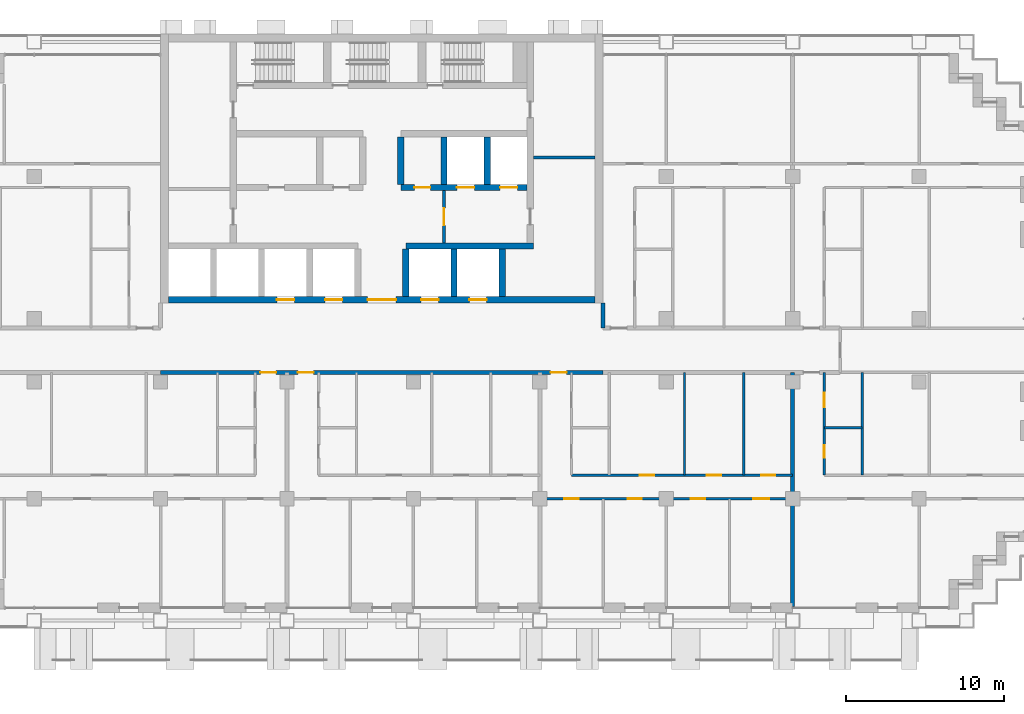
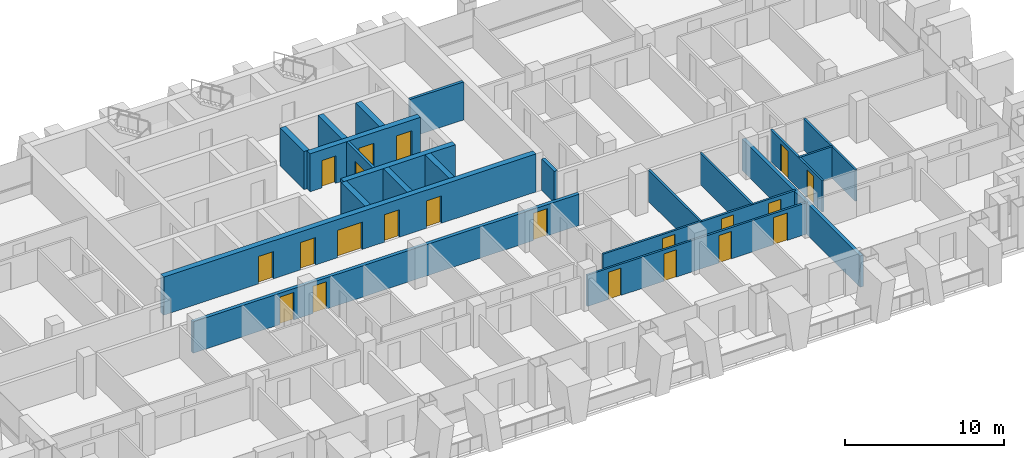
# One storey, part 10 of 17: 21 doors, 21 walls, 21 openings.
"""IFC4 building model written with IfcOpenShell, lengths in metres."""

from ifc_helpers import new_model, si_unit, direction, frame, frame_2d, origin, place, context, subcontext, project, spatial, rectangle, extrude, material, layer, layer_set, type_object, element, fill, save


model = new_model("IFC4")

# Units and contexts
model_context = context("Model", 3, precision=1e-05, world=origin(), true_north=direction((0.0, 1.0)))
body_context = subcontext(model_context, "Body", "Model", "MODEL_VIEW")
ifc_project = project(units=[si_unit("LENGTHUNIT", "METRE"), si_unit("AREAUNIT", "SQUARE_METRE"), si_unit("VOLUMEUNIT", "CUBIC_METRE"), si_unit("PLANEANGLEUNIT", "RADIAN"), si_unit("MASSUNIT", "GRAM", prefix="KILO")], contexts=[model_context])

# Site, building, storey
site_placement = place(None, origin())
site = spatial("IfcSite", under=ifc_project, at=site_placement, CompositionType="ELEMENT")
building_placement = place(site_placement, origin())
building = spatial("IfcBuilding", under=site, at=building_placement, Name="Vidyagriha Tower", CompositionType="ELEMENT")
storey_placement = place(building_placement, frame((0.0, 0.0, 77.5)))
storey = spatial("IfcBuildingStorey", under=building, at=storey_placement, Name="L19", CompositionType="ELEMENT", Elevation=77.5)

# Wall, openings, doors
ifc_material_1 = material(Name="Concrete C60/75", Category="concrete")
ifc_layer_1 = layer(ifc_material_1, 0.39990234375)
ifc_layer_set_1 = layer_set([ifc_layer_1], Name="Concrete C60/75")
wall_type_1 = type_object("IfcWallType", Name="Core shear wall 400 mm", PredefinedType="SHEAR", material=ifc_layer_set_1)
wall_1_placement = place(storey_placement, frame((-13.5, 3.199951171875, 0.0)))
wall_1 = element("IfcWall", 1, at=wall_1_placement, inside=storey, type_object=wall_type_1, Name="Core front wall", PredefinedType="SHEAR", context=body_context, shape_type="SweptSolid", body=[
    extrude(rectangle(XDim=27.0, YDim=0.39990234375, at=frame_2d((13.5, 0.0))), origin(), (0.0, 0.0, 1.0), 2.919921875),
])
opening_1_placement = place(wall_1_placement, frame((6.861083984375, 0.0, 0.0)))
opening_1 = element("IfcOpeningElement", 2, at=opening_1_placement, cuts=wall_1, Name="Opening LD19-01", PredefinedType="OPENING", context=body_context, shape_type="SweptSolid", body=[
    extrude(rectangle(XDim=1.10009765625, YDim=2.10009765625, at=frame_2d((0.550048828125, 1.050048828125))), frame((0.0, 0.2099609375, 0.0), z_axis=(0.0, -1.0, 0.0), x_axis=(1.0, 0.0, 0.0)), (0.0, 0.0, 1.0), 0.419921875),
])
opening_2_placement = place(wall_1_placement, frame((9.905517578125, 0.0, 0.0)))
opening_2 = element("IfcOpeningElement", 3, at=opening_2_placement, cuts=wall_1, Name="Opening LD19-02", PredefinedType="OPENING", context=body_context, shape_type="SweptSolid", body=[
    extrude(rectangle(XDim=1.10009765625, YDim=2.10009765625, at=frame_2d((0.550048828125, 1.050048828125))), frame((0.0, 0.2099609375, 0.0), z_axis=(0.0, -1.0, 0.0), x_axis=(1.0, 0.0, 0.0)), (0.0, 0.0, 1.0), 0.419921875),
])
opening_3_placement = place(wall_1_placement, frame((15.994384765625, 0.0, 0.0)))
opening_3 = element("IfcOpeningElement", 4, at=opening_3_placement, cuts=wall_1, Name="Opening LD19-03", PredefinedType="OPENING", context=body_context, shape_type="SweptSolid", body=[
    extrude(rectangle(XDim=1.10009765625, YDim=2.10009765625, at=frame_2d((0.550048828125, 1.050048828125))), frame((0.0, 0.2099609375, 0.0), z_axis=(0.0, -1.0, 0.0), x_axis=(1.0, 0.0, 0.0)), (0.0, 0.0, 1.0), 0.419921875),
])
opening_4_placement = place(wall_1_placement, frame((19.038818359375, 0.0, 0.0)))
opening_4 = element("IfcOpeningElement", 5, at=opening_4_placement, cuts=wall_1, Name="Opening LD19-04", PredefinedType="OPENING", context=body_context, shape_type="SweptSolid", body=[
    extrude(rectangle(XDim=1.10009765625, YDim=2.10009765625, at=frame_2d((0.550048828125, 1.050048828125))), frame((0.0, 0.2099609375, 0.0), z_axis=(0.0, -1.0, 0.0), x_axis=(1.0, 0.0, 0.0)), (0.0, 0.0, 1.0), 0.419921875),
])
opening_5_placement = place(wall_1_placement, frame((12.60009765625, 0.0, 0.0)))
opening_5 = element("IfcOpeningElement", 6, at=opening_5_placement, cuts=wall_1, Name="Opening D19-01", PredefinedType="OPENING", context=body_context, shape_type="SweptSolid", body=[
    extrude(rectangle(XDim=1.800048828125, YDim=2.10009765625, at=frame_2d((0.89990234375, 1.050048828125))), frame((0.0, 0.2099609375, 0.0), z_axis=(0.0, -1.0, 0.0), x_axis=(1.0, 0.0, 0.0)), (0.0, 0.0, 1.0), 0.419921875),
])
ifc_material_2 = material(Name="Hollow metal door leaf")
door_type_1 = type_object("IfcDoorType", Name="Core lobby double door 1800 x 2100 mm EI 60", OperationType="NOTDEFINED", PredefinedType="DOOR", material=ifc_material_2)
door_1_placement = place(opening_5_placement, frame((1.800048828125, 0.0, 0.0), z_axis=(0.0, 0.0, 1.0), x_axis=(-1.0, 0.0, 0.0)))
door_1 = element("IfcDoor", 7, at=door_1_placement, inside=storey, type_object=door_type_1, Name="Core entrance door L19", OperationType="DOUBLE_DOOR_SINGLE_SWING", OverallHeight=2.10009765625, OverallWidth=1.800048828125, PredefinedType="DOOR", context=body_context, shape_type="SweptSolid", body=[
    extrude(rectangle(XDim=1.800048828125, YDim=2.10009765625, at=frame_2d((0.89990234375, 1.050048828125))), frame((0.0, 0.02490234375, 0.0), z_axis=(0.0, -1.0, 0.0), x_axis=(1.0, 0.0, 0.0)), (0.0, 0.0, 1.0), 0.050048828125),
])
fill(opening_5, door_1)
ifc_material_3 = material(Name="Stainless steel sliding door panel", Category="steel")
door_type_2 = type_object("IfcDoorType", Name="Lift landing door 1100 x 2100 mm EI 90", OperationType="NOTDEFINED", PredefinedType="DOOR", material=ifc_material_3)
door_2_placement = place(opening_1_placement, origin())
door_2 = element("IfcDoor", 8, at=door_2_placement, inside=storey, type_object=door_type_2, Name="Landing door LR1 L19", OperationType="SLIDING_TO_LEFT", OverallHeight=2.10009765625, OverallWidth=1.10009765625, PredefinedType="DOOR", context=body_context, shape_type="SweptSolid", body=[
    extrude(rectangle(XDim=1.10009765625, YDim=2.10009765625, at=frame_2d((0.550048828125, 1.050048828125))), frame((0.0, 0.02490234375, 0.0), z_axis=(0.0, -1.0, 0.0), x_axis=(1.0, 0.0, 0.0)), (0.0, 0.0, 1.0), 0.050048828125),
])
fill(opening_1, door_2)
door_3_placement = place(opening_2_placement, origin())
door_3 = element("IfcDoor", 9, at=door_3_placement, inside=storey, type_object=door_type_2, Name="Landing door LR2 L19", OperationType="SLIDING_TO_LEFT", OverallHeight=2.10009765625, OverallWidth=1.10009765625, PredefinedType="DOOR", context=body_context, shape_type="SweptSolid", body=[
    extrude(rectangle(XDim=1.10009765625, YDim=2.10009765625, at=frame_2d((0.550048828125, 1.050048828125))), frame((0.0, 0.02490234375, 0.0), z_axis=(0.0, -1.0, 0.0), x_axis=(1.0, 0.0, 0.0)), (0.0, 0.0, 1.0), 0.050048828125),
])
fill(opening_2, door_3)
door_4_placement = place(opening_3_placement, origin())
door_4 = element("IfcDoor", 10, at=door_4_placement, inside=storey, type_object=door_type_2, Name="Landing door LR3 L19", OperationType="SLIDING_TO_LEFT", OverallHeight=2.10009765625, OverallWidth=1.10009765625, PredefinedType="DOOR", context=body_context, shape_type="SweptSolid", body=[
    extrude(rectangle(XDim=1.10009765625, YDim=2.10009765625, at=frame_2d((0.550048828125, 1.050048828125))), frame((0.0, 0.02490234375, 0.0), z_axis=(0.0, -1.0, 0.0), x_axis=(1.0, 0.0, 0.0)), (0.0, 0.0, 1.0), 0.050048828125),
])
fill(opening_3, door_4)
door_5_placement = place(opening_4_placement, origin())
door_5 = element("IfcDoor", 11, at=door_5_placement, inside=storey, type_object=door_type_2, Name="Landing door LR4 L19", OperationType="SLIDING_TO_LEFT", OverallHeight=2.10009765625, OverallWidth=1.10009765625, PredefinedType="DOOR", context=body_context, shape_type="SweptSolid", body=[
    extrude(rectangle(XDim=1.10009765625, YDim=2.10009765625, at=frame_2d((0.550048828125, 1.050048828125))), frame((0.0, 0.02490234375, 0.0), z_axis=(0.0, -1.0, 0.0), x_axis=(1.0, 0.0, 0.0)), (0.0, 0.0, 1.0), 0.050048828125),
])
fill(opening_4, door_5)

# Walls
wall_2_placement = place(storey_placement, frame((1.522216796875, 6.60009765625, 0.0)))
element("IfcWall", 12, at=wall_2_placement, inside=storey, type_object=wall_type_1, Name="Core lobby south wall east", PredefinedType="SHEAR", context=body_context, shape_type="SweptSolid", body=[
    extrude(rectangle(XDim=8.077880859375, YDim=0.39990234375, at=frame_2d((4.0390625, 0.0))), origin(), (0.0, 0.0, 1.0), 2.919921875),
])
for number, where, z_axis, x_axis, name in (
    (13, (1.522216796875, 3.39990234375, 0.0), (0.0, 0.0, 1.0), (0.0, 1.0, 0.0), "Core bay wall S5"),
    (14, (4.566650390625, 3.39990234375, 0.0), (0.0, 0.0, 1.0), (0.0, 1.0, 0.0), "Core bay wall S6"),
    (15, (7.611083984375, 3.39990234375, 0.0), (0.0, 0.0, 1.0), (0.0, 1.0, 0.0), "Core bay wall S7"),
):
    element("IfcWall", number, at=place(storey_placement, frame(where, z_axis=z_axis, x_axis=x_axis)), inside=storey, type_object=wall_type_1, Name=name, PredefinedType="SHEAR", context=body_context, shape_type="SweptSolid", body=[
        extrude(rectangle(XDim=3.0, YDim=0.39990234375, at=frame_2d((1.5, 0.0))), origin(), (0.0, 0.0, 1.0), 2.919921875),
    ])

# Wall, openings, doors
wall_3_placement = place(storey_placement, frame((1.199951171875, 10.300048828125, 0.0)))
wall_3 = element("IfcWall", 16, at=wall_3_placement, inside=storey, type_object=wall_type_1, Name="Core row N front wall", PredefinedType="SHEAR", context=body_context, shape_type="SweptSolid", body=[
    extrude(rectangle(XDim=8.0, YDim=0.39990234375, at=frame_2d((4.0, 0.0))), origin(), (0.0, 0.0, 1.0), 2.919921875),
])
opening_6_placement = place(wall_3_placement, frame((3.550048828125, 0.0, 0.0)))
opening_6 = element("IfcOpeningElement", 17, at=opening_6_placement, cuts=wall_3, Name="Opening LD19-05", PredefinedType="OPENING", context=body_context, shape_type="SweptSolid", body=[
    extrude(rectangle(XDim=1.10009765625, YDim=2.10009765625, at=frame_2d((0.550048828125, 1.050048828125))), frame((0.0, 0.2099609375, 0.0), z_axis=(0.0, -1.0, 0.0), x_axis=(1.0, 0.0, 0.0)), (0.0, 0.0, 1.0), 0.419921875),
])
opening_7_placement = place(wall_3_placement, frame((6.283203125, 0.0, 0.0)))
opening_7 = element("IfcOpeningElement", 18, at=opening_7_placement, cuts=wall_3, Name="Opening LD19-06", PredefinedType="OPENING", context=body_context, shape_type="SweptSolid", body=[
    extrude(rectangle(XDim=1.10009765625, YDim=2.10009765625, at=frame_2d((0.550048828125, 1.050048828125))), frame((0.0, 0.2099609375, 0.0), z_axis=(0.0, -1.0, 0.0), x_axis=(1.0, 0.0, 0.0)), (0.0, 0.0, 1.0), 0.419921875),
])
opening_8_placement = place(wall_3_placement, frame((0.86669921875, 0.0, 0.0)))
opening_8 = element("IfcOpeningElement", 19, at=opening_8_placement, cuts=wall_3, Name="Opening D19-04", PredefinedType="OPENING", context=body_context, shape_type="SweptSolid", body=[
    extrude(rectangle(XDim=1.0, YDim=2.10009765625, at=frame_2d((0.5, 1.050048828125))), frame((0.0, 0.2099609375, 0.0), z_axis=(0.0, -1.0, 0.0), x_axis=(1.0, 0.0, 0.0)), (0.0, 0.0, 1.0), 0.419921875),
])
ifc_material_4 = material(Name="Hollow metal door leaf")
door_type_3 = type_object("IfcDoorType", Name="Core room door 1000 x 2100 mm EI 60", OperationType="NOTDEFINED", PredefinedType="DOOR", material=ifc_material_4)
door_6_placement = place(opening_8_placement, frame((1.0, 0.0, 0.0), z_axis=(0.0, 0.0, 1.0), x_axis=(-1.0, 0.0, 0.0)))
door_6 = element("IfcDoor", 20, at=door_6_placement, inside=storey, type_object=door_type_3, Name="Door Pressurisation Plant Room 19.16", OperationType="SINGLE_SWING_LEFT", OverallHeight=2.10009765625, OverallWidth=1.0, PredefinedType="DOOR", context=body_context, shape_type="SweptSolid", body=[
    extrude(rectangle(XDim=1.0, YDim=2.10009765625, at=frame_2d((0.5, 1.050048828125))), frame((0.0, 0.02490234375, 0.0), z_axis=(0.0, -1.0, 0.0), x_axis=(1.0, 0.0, 0.0)), (0.0, 0.0, 1.0), 0.050048828125),
])
fill(opening_8, door_6)
door_7_placement = place(opening_6_placement, origin())
door_7 = element("IfcDoor", 21, at=door_7_placement, inside=storey, type_object=door_type_2, Name="Landing door FF1 L19", OperationType="SLIDING_TO_LEFT", OverallHeight=2.10009765625, OverallWidth=1.10009765625, PredefinedType="DOOR", context=body_context, shape_type="SweptSolid", body=[
    extrude(rectangle(XDim=1.10009765625, YDim=2.10009765625, at=frame_2d((0.550048828125, 1.050048828125))), frame((0.0, 0.02490234375, 0.0), z_axis=(0.0, -1.0, 0.0), x_axis=(1.0, 0.0, 0.0)), (0.0, 0.0, 1.0), 0.050048828125),
])
fill(opening_6, door_7)
door_8_placement = place(opening_7_placement, origin())
door_8 = element("IfcDoor", 22, at=door_8_placement, inside=storey, type_object=door_type_2, Name="Landing door FF2 L19", OperationType="SLIDING_TO_LEFT", OverallHeight=2.10009765625, OverallWidth=1.10009765625, PredefinedType="DOOR", context=body_context, shape_type="SweptSolid", body=[
    extrude(rectangle(XDim=1.10009765625, YDim=2.10009765625, at=frame_2d((0.550048828125, 1.050048828125))), frame((0.0, 0.02490234375, 0.0), z_axis=(0.0, -1.0, 0.0), x_axis=(1.0, 0.0, 0.0)), (0.0, 0.0, 1.0), 0.050048828125),
])
fill(opening_7, door_8)

# Walls
for number, where, z_axis, x_axis, name in (
    (23, (1.199951171875, 10.5, 0.0), (0.0, 0.0, 1.0), (0.0, 1.0, 0.0), "Core bay wall N4"),
    (24, (3.933349609375, 10.5, 0.0), (0.0, 0.0, 1.0), (0.0, 1.0, 0.0), "Core bay wall N5"),
    (25, (6.666748046875, 10.5, 0.0), (0.0, 0.0, 1.0), (0.0, 1.0, 0.0), "Core bay wall N6"),
):
    element("IfcWall", number, at=place(storey_placement, frame(where, z_axis=z_axis, x_axis=x_axis)), inside=storey, type_object=wall_type_1, Name=name, PredefinedType="SHEAR", context=body_context, shape_type="SweptSolid", body=[
        extrude(rectangle(XDim=3.0, YDim=0.39990234375, at=frame_2d((1.5, 0.0))), origin(), (0.0, 0.0, 1.0), 2.919921875),
    ])

# Wall, openings, doors
ifc_material_5 = material(Name="Fired clay brick masonry", Category="masonry")
ifc_layer_2 = layer(ifc_material_5, 0.25)
ifc_layer_set_2 = layer_set([ifc_layer_2], Name="Fired clay brick masonry")
wall_type_2 = type_object("IfcWallType", Name="Fired clay brick corridor wall 250", PredefinedType="PARTITIONING", material=ifc_layer_set_2)
wall_4_placement = place(storey_placement, frame((14.0, -1.39990234375, 0.0), z_axis=(0.0, 0.0, 1.0), x_axis=(-1.0, 0.0, 0.0)))
wall_4 = element("IfcWall", 26, at=wall_4_placement, inside=storey, type_object=wall_type_2, Name="Wall all-L19-w129", PredefinedType="PARTITIONING", context=body_context, shape_type="SweptSolid", body=[
    extrude(rectangle(XDim=28.0, YDim=0.25, at=frame_2d((14.0, 0.0))), origin(), (0.0, 0.0, 1.0), 2.39990234375),
])
opening_9_placement = place(wall_4_placement, frame((20.68896484375, 0.0, 0.0)))
opening_9 = element("IfcOpeningElement", 27, at=opening_9_placement, cuts=wall_4, Name="Opening D19-22", PredefinedType="OPENING", context=body_context, shape_type="SweptSolid", body=[
    extrude(rectangle(XDim=1.0, YDim=2.10009765625, at=frame_2d((0.5, 1.050048828125))), frame((0.0, 0.135009765625, 0.0), z_axis=(0.0, -1.0, 0.0), x_axis=(1.0, 0.0, 0.0)), (0.0, 0.0, 1.0), 0.27001953125),
])
opening_10_placement = place(wall_4_placement, frame((18.31103515625, 0.0, 0.0)))
opening_10 = element("IfcOpeningElement", 28, at=opening_10_placement, cuts=wall_4, Name="Opening D19-32", PredefinedType="OPENING", context=body_context, shape_type="SweptSolid", body=[
    extrude(rectangle(XDim=1.0, YDim=2.10009765625, at=frame_2d((0.5, 1.050048828125))), frame((0.0, 0.135009765625, 0.0), z_axis=(0.0, -1.0, 0.0), x_axis=(1.0, 0.0, 0.0)), (0.0, 0.0, 1.0), 0.27001953125),
])
opening_11_placement = place(wall_4_placement, frame((2.31103515625, 0.0, 0.0)))
opening_11 = element("IfcOpeningElement", 29, at=opening_11_placement, cuts=wall_4, Name="Opening D19-42", PredefinedType="OPENING", context=body_context, shape_type="SweptSolid", body=[
    extrude(rectangle(XDim=1.0, YDim=2.10009765625, at=frame_2d((0.5, 1.050048828125))), frame((0.0, 0.135009765625, 0.0), z_axis=(0.0, -1.0, 0.0), x_axis=(1.0, 0.0, 0.0)), (0.0, 0.0, 1.0), 0.27001953125),
])
ifc_material_6 = material(Name="Fire-rated timber door leaf EI 60", Category="wood")
door_type_4 = type_object("IfcDoorType", Name="Flat entrance fire door 1000x2100", OperationType="NOTDEFINED", PredefinedType="DOOR", material=ifc_material_6)
door_9_placement = place(opening_9_placement, origin())
door_9 = element("IfcDoor", 30, at=door_9_placement, inside=storey, type_object=door_type_4, Name="Door D19-22", OperationType="SINGLE_SWING_LEFT", OverallHeight=2.10009765625, OverallWidth=1.0, PredefinedType="DOOR", context=body_context, shape_type="SweptSolid", body=[
    extrude(rectangle(XDim=1.0, YDim=2.10009765625, at=frame_2d((0.5, 1.050048828125))), frame((0.0, 0.02490234375, 0.0), z_axis=(0.0, -1.0, 0.0), x_axis=(1.0, 0.0, 0.0)), (0.0, 0.0, 1.0), 0.050048828125),
])
fill(opening_9, door_9)
door_10_placement = place(opening_10_placement, origin())
door_10 = element("IfcDoor", 31, at=door_10_placement, inside=storey, type_object=door_type_4, Name="Door D19-32", OperationType="SINGLE_SWING_RIGHT", OverallHeight=2.10009765625, OverallWidth=1.0, PredefinedType="DOOR", context=body_context, shape_type="SweptSolid", body=[
    extrude(rectangle(XDim=1.0, YDim=2.10009765625, at=frame_2d((0.5, 1.050048828125))), frame((0.0, 0.02490234375, 0.0), z_axis=(0.0, -1.0, 0.0), x_axis=(1.0, 0.0, 0.0)), (0.0, 0.0, 1.0), 0.050048828125),
])
fill(opening_10, door_10)
door_11_placement = place(opening_11_placement, origin())
door_11 = element("IfcDoor", 32, at=door_11_placement, inside=storey, type_object=door_type_4, Name="Door D19-42", OperationType="SINGLE_SWING_RIGHT", OverallHeight=2.10009765625, OverallWidth=1.0, PredefinedType="DOOR", context=body_context, shape_type="SweptSolid", body=[
    extrude(rectangle(XDim=1.0, YDim=2.10009765625, at=frame_2d((0.5, 1.050048828125))), frame((0.0, 0.02490234375, 0.0), z_axis=(0.0, -1.0, 0.0), x_axis=(1.0, 0.0, 0.0)), (0.0, 0.0, 1.0), 0.050048828125),
])
fill(opening_11, door_11)

# Walls
wall_5_placement = place(storey_placement, frame((14.0, 1.39990234375, 0.0), z_axis=(0.0, 0.0, 1.0), x_axis=(0.0, 1.0, 0.0)))
element("IfcWall", 33, at=wall_5_placement, inside=storey, type_object=wall_type_2, Name="Wall all-L19-w131", PredefinedType="PARTITIONING", context=body_context, shape_type="SweptSolid", body=[
    extrude(rectangle(XDim=1.60009765625, YDim=0.25, at=frame_2d((0.800048828125, 0.0))), origin(), (0.0, 0.0, 1.0), 2.39990234375),
])
ifc_material_7 = material(Name="Fired clay brick masonry", Category="masonry")
ifc_layer_3 = layer(ifc_material_7, 0.25)
ifc_layer_set_3 = layer_set([ifc_layer_3], Name="Fired clay brick masonry")
wall_type_3 = type_object("IfcWallType", Name="Fired clay brick demising wall 250", PredefinedType="PARTITIONING", material=ifc_layer_set_3)
wall_6_placement = place(storey_placement, frame((26.0, -1.39990234375, 0.0), z_axis=(0.0, 0.0, 1.0), x_axis=(0.0, -1.0, 0.0)))
element("IfcWall", 34, at=wall_6_placement, inside=storey, type_object=wall_type_3, Name="Wall all-L19-w077", PredefinedType="PARTITIONING", context=body_context, shape_type="SweptSolid", body=[
    extrude(rectangle(XDim=14.81005859375, YDim=0.25, at=frame_2d((7.405029296875, 0.0))), origin(), (0.0, 0.0, 1.0), 2.39990234375),
])
ifc_material_8 = material(Name="Gypsum board partition")
ifc_layer_4 = layer(ifc_material_8, 0.14990234375)
ifc_layer_set_4 = layer_set([ifc_layer_4], Name="Gypsum board partition")
wall_type_4 = type_object("IfcWallType", Name="Gypsum board partition 150", PredefinedType="PARTITIONING", material=ifc_layer_set_4)
for number, where, z_axis, x_axis, name in (
    (35, (19.14990234375, -1.39990234375, 0.0), (0.0, 0.0, 1.0), (0.0, -1.0, 0.0), "Wall all-L19-w047"),
    (36, (22.89990234375, -1.39990234375, 0.0), (0.0, 0.0, 1.0), (0.0, -1.0, 0.0), "Wall all-L19-w048"),
):
    element("IfcWall", number, at=place(storey_placement, frame(where, z_axis=z_axis, x_axis=x_axis)), inside=storey, type_object=wall_type_4, Name=name, PredefinedType="PARTITIONING", context=body_context, shape_type="SweptSolid", body=[
        extrude(rectangle(XDim=6.5, YDim=0.14990234375, at=frame_2d((3.25, 0.0))), origin(), (0.0, 0.0, 1.0), 2.39990234375),
    ])

# Wall, openings, doors
wall_7_placement = place(storey_placement, frame((12.0, -7.89990234375, 0.0)))
wall_7 = element("IfcWall", 37, at=wall_7_placement, inside=storey, type_object=wall_type_4, Name="Wall all-L19-w049", PredefinedType="PARTITIONING", context=body_context, shape_type="SweptSolid", body=[
    extrude(rectangle(XDim=14.0, YDim=0.14990234375, at=frame_2d((7.0, 0.0))), origin(), (0.0, 0.0, 1.0), 2.39990234375),
])
opening_12_placement = place(wall_7_placement, frame((4.324951171875, 0.0, 0.0)))
opening_12 = element("IfcOpeningElement", 38, at=opening_12_placement, cuts=wall_7, Name="Opening D19-35", PredefinedType="OPENING", context=body_context, shape_type="SweptSolid", body=[
    extrude(rectangle(XDim=0.89990234375, YDim=2.10009765625, at=frame_2d((0.449951171875, 1.050048828125))), frame((0.0, 0.0849609375, 0.0), z_axis=(0.0, -1.0, 0.0), x_axis=(1.0, 0.0, 0.0)), (0.0, 0.0, 1.0), 0.169921875),
])
opening_13_placement = place(wall_7_placement, frame((8.574951171875, 0.0, 0.0)))
opening_13 = element("IfcOpeningElement", 39, at=opening_13_placement, cuts=wall_7, Name="Opening D19-36", PredefinedType="OPENING", context=body_context, shape_type="SweptSolid", body=[
    extrude(rectangle(XDim=0.89990234375, YDim=2.10009765625, at=frame_2d((0.449951171875, 1.050048828125))), frame((0.0, 0.0849609375, 0.0), z_axis=(0.0, -1.0, 0.0), x_axis=(1.0, 0.0, 0.0)), (0.0, 0.0, 1.0), 0.169921875),
])
opening_14_placement = place(wall_7_placement, frame((12.0, 0.0, 0.0)))
opening_14 = element("IfcOpeningElement", 40, at=opening_14_placement, cuts=wall_7, Name="Opening D19-37", PredefinedType="OPENING", context=body_context, shape_type="SweptSolid", body=[
    extrude(rectangle(XDim=0.89990234375, YDim=2.10009765625, at=frame_2d((0.449951171875, 1.050048828125))), frame((0.0, 0.0849609375, 0.0), z_axis=(0.0, -1.0, 0.0), x_axis=(1.0, 0.0, 0.0)), (0.0, 0.0, 1.0), 0.169921875),
])
ifc_material_9 = material(Name="Timber door leaf", Category="wood")
door_type_5 = type_object("IfcDoorType", Name="Room door 900x2100", OperationType="NOTDEFINED", PredefinedType="DOOR", material=ifc_material_9)
door_12_placement = place(opening_12_placement, origin())
door_12 = element("IfcDoor", 41, at=door_12_placement, inside=storey, type_object=door_type_5, Name="Door D19-35", OperationType="SINGLE_SWING_LEFT", OverallHeight=2.10009765625, OverallWidth=0.89990234375, PredefinedType="DOOR", context=body_context, shape_type="SweptSolid", body=[
    extrude(rectangle(XDim=0.89990234375, YDim=2.10009765625, at=frame_2d((0.449951171875, 1.050048828125))), frame((0.0, 0.02490234375, 0.0), z_axis=(0.0, -1.0, 0.0), x_axis=(1.0, 0.0, 0.0)), (0.0, 0.0, 1.0), 0.050048828125),
])
fill(opening_12, door_12)
door_13_placement = place(opening_13_placement, origin())
door_13 = element("IfcDoor", 42, at=door_13_placement, inside=storey, type_object=door_type_5, Name="Door D19-36", OperationType="SINGLE_SWING_RIGHT", OverallHeight=2.10009765625, OverallWidth=0.89990234375, PredefinedType="DOOR", context=body_context, shape_type="SweptSolid", body=[
    extrude(rectangle(XDim=0.89990234375, YDim=2.10009765625, at=frame_2d((0.449951171875, 1.050048828125))), frame((0.0, 0.02490234375, 0.0), z_axis=(0.0, -1.0, 0.0), x_axis=(1.0, 0.0, 0.0)), (0.0, 0.0, 1.0), 0.050048828125),
])
fill(opening_13, door_13)
door_14_placement = place(opening_14_placement, origin())
door_14 = element("IfcDoor", 43, at=door_14_placement, inside=storey, type_object=door_type_5, Name="Door D19-37", OperationType="SINGLE_SWING_RIGHT", OverallHeight=2.10009765625, OverallWidth=0.89990234375, PredefinedType="DOOR", context=body_context, shape_type="SweptSolid", body=[
    extrude(rectangle(XDim=0.89990234375, YDim=2.10009765625, at=frame_2d((0.449951171875, 1.050048828125))), frame((0.0, 0.02490234375, 0.0), z_axis=(0.0, -1.0, 0.0), x_axis=(1.0, 0.0, 0.0)), (0.0, 0.0, 1.0), 0.050048828125),
])
fill(opening_14, door_14)

wall_8_placement = place(storey_placement, frame((26.0, -9.39990234375, 0.0), z_axis=(0.0, 0.0, 1.0), x_axis=(-1.0, 0.0, 0.0)))
wall_8 = element("IfcWall", 44, at=wall_8_placement, inside=storey, type_object=wall_type_4, Name="Wall all-L19-w053", PredefinedType="PARTITIONING", context=body_context, shape_type="SweptSolid", body=[
    extrude(rectangle(XDim=16.0, YDim=0.14990234375, at=frame_2d((8.0, 0.0))), origin(), (0.0, 0.0, 1.0), 2.39990234375),
])
opening_15_placement = place(wall_8_placement, frame((13.550048828125, 0.0, 0.0)))
opening_15 = element("IfcOpeningElement", 45, at=opening_15_placement, cuts=wall_8, Name="Opening D19-38", PredefinedType="OPENING", context=body_context, shape_type="SweptSolid", body=[
    extrude(rectangle(XDim=0.89990234375, YDim=2.10009765625, at=frame_2d((0.449951171875, 1.050048828125))), frame((0.0, 0.0849609375, 0.0), z_axis=(0.0, -1.0, 0.0), x_axis=(1.0, 0.0, 0.0)), (0.0, 0.0, 1.0), 0.169921875),
])
opening_16_placement = place(wall_8_placement, frame((9.550048828125, 0.0, 0.0)))
opening_16 = element("IfcOpeningElement", 46, at=opening_16_placement, cuts=wall_8, Name="Opening D19-39", PredefinedType="OPENING", context=body_context, shape_type="SweptSolid", body=[
    extrude(rectangle(XDim=0.89990234375, YDim=2.10009765625, at=frame_2d((0.449951171875, 1.050048828125))), frame((0.0, 0.0849609375, 0.0), z_axis=(0.0, -1.0, 0.0), x_axis=(1.0, 0.0, 0.0)), (0.0, 0.0, 1.0), 0.169921875),
])
opening_17_placement = place(wall_8_placement, frame((5.550048828125, 0.0, 0.0)))
opening_17 = element("IfcOpeningElement", 47, at=opening_17_placement, cuts=wall_8, Name="Opening D19-40", PredefinedType="OPENING", context=body_context, shape_type="SweptSolid", body=[
    extrude(rectangle(XDim=0.89990234375, YDim=2.10009765625, at=frame_2d((0.449951171875, 1.050048828125))), frame((0.0, 0.0849609375, 0.0), z_axis=(0.0, -1.0, 0.0), x_axis=(1.0, 0.0, 0.0)), (0.0, 0.0, 1.0), 0.169921875),
])
opening_18_placement = place(wall_8_placement, frame((1.5, 0.0, 0.0)))
opening_18 = element("IfcOpeningElement", 48, at=opening_18_placement, cuts=wall_8, Name="Opening D19-41", PredefinedType="OPENING", context=body_context, shape_type="SweptSolid", body=[
    extrude(rectangle(XDim=1.0, YDim=2.10009765625, at=frame_2d((0.5, 1.050048828125))), frame((0.0, 0.0849609375, 0.0), z_axis=(0.0, -1.0, 0.0), x_axis=(1.0, 0.0, 0.0)), (0.0, 0.0, 1.0), 0.169921875),
])
ifc_material_10 = material(Name="Timber door leaf", Category="wood")
door_type_6 = type_object("IfcDoorType", Name="Room door 1000x2100", OperationType="NOTDEFINED", PredefinedType="DOOR", material=ifc_material_10)
door_15_placement = place(opening_18_placement, origin())
door_15 = element("IfcDoor", 49, at=door_15_placement, inside=storey, type_object=door_type_6, Name="Door D19-41", OperationType="SINGLE_SWING_RIGHT", OverallHeight=2.10009765625, OverallWidth=1.0, PredefinedType="DOOR", context=body_context, shape_type="SweptSolid", body=[
    extrude(rectangle(XDim=1.0, YDim=2.10009765625, at=frame_2d((0.5, 1.050048828125))), frame((0.0, 0.02490234375, 0.0), z_axis=(0.0, -1.0, 0.0), x_axis=(1.0, 0.0, 0.0)), (0.0, 0.0, 1.0), 0.050048828125),
])
fill(opening_18, door_15)
door_16_placement = place(opening_15_placement, origin())
door_16 = element("IfcDoor", 50, at=door_16_placement, inside=storey, type_object=door_type_5, Name="Door D19-38", OperationType="SINGLE_SWING_RIGHT", OverallHeight=2.10009765625, OverallWidth=0.89990234375, PredefinedType="DOOR", context=body_context, shape_type="SweptSolid", body=[
    extrude(rectangle(XDim=0.89990234375, YDim=2.10009765625, at=frame_2d((0.449951171875, 1.050048828125))), frame((0.0, 0.02490234375, 0.0), z_axis=(0.0, -1.0, 0.0), x_axis=(1.0, 0.0, 0.0)), (0.0, 0.0, 1.0), 0.050048828125),
])
fill(opening_15, door_16)
door_17_placement = place(opening_16_placement, origin())
door_17 = element("IfcDoor", 51, at=door_17_placement, inside=storey, type_object=door_type_5, Name="Door D19-39", OperationType="SINGLE_SWING_RIGHT", OverallHeight=2.10009765625, OverallWidth=0.89990234375, PredefinedType="DOOR", context=body_context, shape_type="SweptSolid", body=[
    extrude(rectangle(XDim=0.89990234375, YDim=2.10009765625, at=frame_2d((0.449951171875, 1.050048828125))), frame((0.0, 0.02490234375, 0.0), z_axis=(0.0, -1.0, 0.0), x_axis=(1.0, 0.0, 0.0)), (0.0, 0.0, 1.0), 0.050048828125),
])
fill(opening_16, door_17)
door_18_placement = place(opening_17_placement, origin())
door_18 = element("IfcDoor", 52, at=door_18_placement, inside=storey, type_object=door_type_5, Name="Door D19-40", OperationType="SINGLE_SWING_RIGHT", OverallHeight=2.10009765625, OverallWidth=0.89990234375, PredefinedType="DOOR", context=body_context, shape_type="SweptSolid", body=[
    extrude(rectangle(XDim=0.89990234375, YDim=2.10009765625, at=frame_2d((0.449951171875, 1.050048828125))), frame((0.0, 0.02490234375, 0.0), z_axis=(0.0, -1.0, 0.0), x_axis=(1.0, 0.0, 0.0)), (0.0, 0.0, 1.0), 0.050048828125),
])
fill(opening_17, door_18)

# Walls
wall_9_placement = place(storey_placement, frame((30.39990234375, -4.89990234375, 0.0), z_axis=(0.0, 0.0, 1.0), x_axis=(-1.0, 0.0, 0.0)))
element("IfcWall", 53, at=wall_9_placement, inside=storey, type_object=wall_type_4, Name="Wall all-L19-w066", PredefinedType="PARTITIONING", context=body_context, shape_type="SweptSolid", body=[
    extrude(rectangle(XDim=2.39990234375, YDim=0.14990234375, at=frame_2d((1.199951171875, 0.0))), origin(), (0.0, 0.0, 1.0), 2.39990234375),
])
wall_10_placement = place(storey_placement, frame((30.39990234375, -1.39990234375, 0.0), z_axis=(0.0, 0.0, 1.0), x_axis=(0.0, -1.0, 0.0)))
element("IfcWall", 54, at=wall_10_placement, inside=storey, type_object=wall_type_4, Name="Wall all-L19-w067", PredefinedType="PARTITIONING", context=body_context, shape_type="SweptSolid", body=[
    extrude(rectangle(XDim=6.5, YDim=0.14990234375, at=frame_2d((3.25, 0.0))), origin(), (0.0, 0.0, 1.0), 2.39990234375),
])

# Wall, openings, doors
ifc_material_11 = material(Name="Moisture resistant gypsum board partition")
ifc_layer_5 = layer(ifc_material_11, 0.14990234375)
ifc_layer_set_5 = layer_set([ifc_layer_5], Name="Moisture resistant gypsum board partition")
wall_type_5 = type_object("IfcWallType", Name="Gypsum board wet-area partition 150", PredefinedType="PARTITIONING", material=ifc_layer_set_5)
wall_11_placement = place(storey_placement, frame((28.0, -1.39990234375, 0.0), z_axis=(0.0, 0.0, 1.0), x_axis=(0.0, -1.0, 0.0)))
wall_11 = element("IfcWall", 55, at=wall_11_placement, inside=storey, type_object=wall_type_5, Name="Wall all-L19-w063", PredefinedType="PARTITIONING", context=body_context, shape_type="SweptSolid", body=[
    extrude(rectangle(XDim=6.5, YDim=0.14990234375, at=frame_2d((3.25, 0.0))), origin(), (0.0, 0.0, 1.0), 2.39990234375),
])
opening_19_placement = place(wall_11_placement, frame((1.300048828125, 0.0, 0.0)))
opening_19 = element("IfcOpeningElement", 56, at=opening_19_placement, cuts=wall_11, Name="Opening D19-43", PredefinedType="OPENING", context=body_context, shape_type="SweptSolid", body=[
    extrude(rectangle(XDim=0.89990234375, YDim=2.10009765625, at=frame_2d((0.449951171875, 1.050048828125))), frame((0.0, 0.0849609375, 0.0), z_axis=(0.0, -1.0, 0.0), x_axis=(1.0, 0.0, 0.0)), (0.0, 0.0, 1.0), 0.169921875),
])
opening_20_placement = place(wall_11_placement, frame((4.60009765625, 0.0, 0.0)))
opening_20 = element("IfcOpeningElement", 57, at=opening_20_placement, cuts=wall_11, Name="Opening D19-44", PredefinedType="OPENING", context=body_context, shape_type="SweptSolid", body=[
    extrude(rectangle(XDim=0.800048828125, YDim=2.10009765625, at=frame_2d((0.39990234375, 1.050048828125))), frame((0.0, 0.0849609375, 0.0), z_axis=(0.0, -1.0, 0.0), x_axis=(1.0, 0.0, 0.0)), (0.0, 0.0, 1.0), 0.169921875),
])
ifc_material_12 = material(Name="Timber door leaf", Category="wood")
door_type_7 = type_object("IfcDoorType", Name="Bathroom door 800x2100", OperationType="NOTDEFINED", PredefinedType="DOOR", material=ifc_material_12)
door_19_placement = place(opening_20_placement, origin())
door_19 = element("IfcDoor", 58, at=door_19_placement, inside=storey, type_object=door_type_7, Name="Door D19-44", OperationType="SINGLE_SWING_RIGHT", OverallHeight=2.10009765625, OverallWidth=0.800048828125, PredefinedType="DOOR", context=body_context, shape_type="SweptSolid", body=[
    extrude(rectangle(XDim=0.800048828125, YDim=2.10009765625, at=frame_2d((0.39990234375, 1.050048828125))), frame((0.0, 0.02490234375, 0.0), z_axis=(0.0, -1.0, 0.0), x_axis=(1.0, 0.0, 0.0)), (0.0, 0.0, 1.0), 0.050048828125),
])
fill(opening_20, door_19)
ifc_material_13 = material(Name="Timber door leaf", Category="wood")
door_type_8 = type_object("IfcDoorType", Name="Kitchen door 900x2100", OperationType="NOTDEFINED", PredefinedType="DOOR", material=ifc_material_13)
door_20_placement = place(opening_19_placement, origin())
door_20 = element("IfcDoor", 59, at=door_20_placement, inside=storey, type_object=door_type_8, Name="Door D19-43", OperationType="SINGLE_SWING_LEFT", OverallHeight=2.10009765625, OverallWidth=0.89990234375, PredefinedType="DOOR", context=body_context, shape_type="SweptSolid", body=[
    extrude(rectangle(XDim=0.89990234375, YDim=2.10009765625, at=frame_2d((0.449951171875, 1.050048828125))), frame((0.0, 0.02490234375, 0.0), z_axis=(0.0, -1.0, 0.0), x_axis=(1.0, 0.0, 0.0)), (0.0, 0.0, 1.0), 0.050048828125),
])
fill(opening_19, door_20)

# Wall, opening, door
ifc_material_14 = material(Name="Blockwork 15 MPa", Category="masonry")
ifc_layer_6 = layer(ifc_material_14, 0.199951171875)
ifc_layer_set_6 = layer_set([ifc_layer_6], Name="Blockwork 15 MPa")
wall_type_6 = type_object("IfcWallType", Name="Service room partition 200 mm", PredefinedType="PARTITIONING", material=ifc_layer_set_6)
wall_12_placement = place(storey_placement, frame((3.933349609375, 6.800048828125, 0.0), z_axis=(0.0, 0.0, 1.0), x_axis=(0.0, 1.0, 0.0)))
wall_12 = element("IfcWall", 60, at=wall_12_placement, inside=storey, type_object=wall_type_6, Name="Fire-fighting lobby west wall", PredefinedType="PARTITIONING", context=body_context, shape_type="SweptSolid", body=[
    extrude(rectangle(XDim=3.300048828125, YDim=0.199951171875, at=frame_2d((1.64990234375, 0.0))), origin(), (0.0, 0.0, 1.0), 2.919921875),
])
opening_21_placement = place(wall_12_placement, frame((1.10009765625, 0.0, 0.0)))
opening_21 = element("IfcOpeningElement", 61, at=opening_21_placement, cuts=wall_12, Name="Opening D19-05", PredefinedType="OPENING", context=body_context, shape_type="SweptSolid", body=[
    extrude(rectangle(XDim=1.10009765625, YDim=2.10009765625, at=frame_2d((0.550048828125, 1.050048828125))), frame((0.0, 0.10986328125, 0.0), z_axis=(0.0, -1.0, 0.0), x_axis=(1.0, 0.0, 0.0)), (0.0, 0.0, 1.0), 0.219970703125),
])
ifc_material_15 = material(Name="Hollow metal door leaf")
door_type_9 = type_object("IfcDoorType", Name="Fire-fighting lobby door 1100 x 2100 mm EI 90", OperationType="NOTDEFINED", PredefinedType="DOOR", material=ifc_material_15)
door_21_placement = place(opening_21_placement, origin())
door_21 = element("IfcDoor", 62, at=door_21_placement, inside=storey, type_object=door_type_9, Name="Fire-fighting lobby door L19", OperationType="SINGLE_SWING_RIGHT", OverallHeight=2.10009765625, OverallWidth=1.10009765625, PredefinedType="DOOR", context=body_context, shape_type="SweptSolid", body=[
    extrude(rectangle(XDim=1.10009765625, YDim=2.10009765625, at=frame_2d((0.550048828125, 1.050048828125))), frame((0.0, 0.02490234375, 0.0), z_axis=(0.0, -1.0, 0.0), x_axis=(1.0, 0.0, 0.0)), (0.0, 0.0, 1.0), 0.050048828125),
])
fill(opening_21, door_21)

# Wall
wall_13_placement = place(storey_placement, frame((9.60009765625, 12.199951171875, 0.0)))
element("IfcWall", 63, at=wall_13_placement, inside=storey, type_object=wall_type_6, Name="Core room partition E1", PredefinedType="PARTITIONING", context=body_context, shape_type="SweptSolid", body=[
    extrude(rectangle(XDim=3.89990234375, YDim=0.199951171875, at=frame_2d((1.949951171875, 0.0))), origin(), (0.0, 0.0, 1.0), 2.919921875),
])

save(model, "model.ifc")
